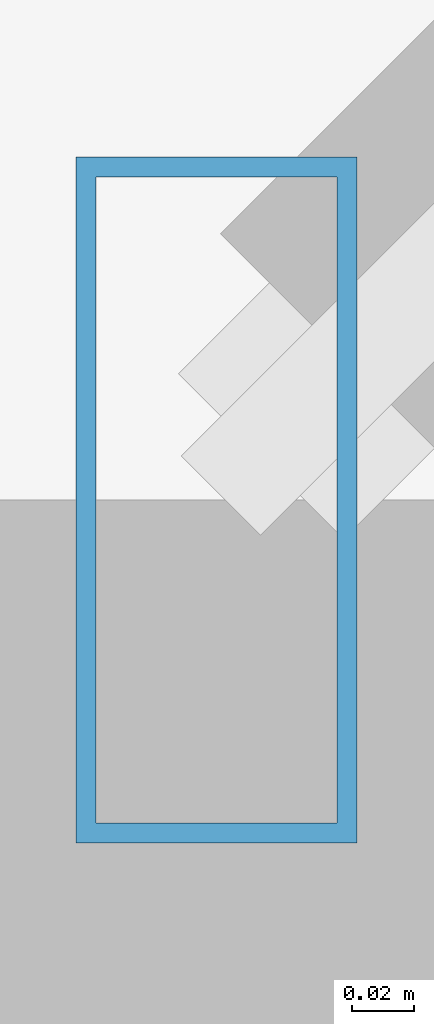
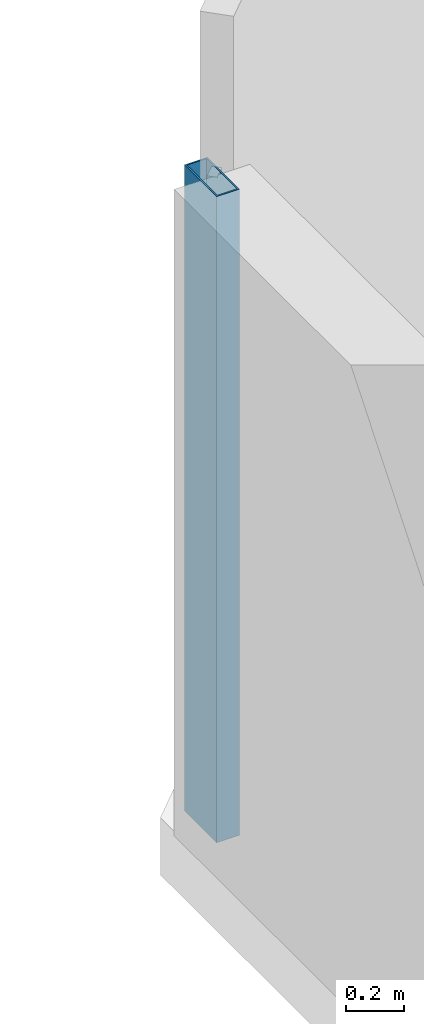
# One storey, part 12 of 35: 1 member, 1 element without a shape of its own.
"""IFC4 building model written with IfcOpenShell, lengths in metres."""

from ifc_helpers import new_model, si_unit, direction, frame, origin, origin_2d, place, context, subcontext, project, spatial, hollow_rectangle, extrude, material, material_profile, profile_set, type_object, element, aggregate, save


model = new_model("IFC4")

# Units and contexts
model_context = context("Model", 3, precision=1e-05, world=origin(), true_north=direction((0.0, 1.0)))
body_context = subcontext(model_context, "Body", "Model", "MODEL_VIEW")
ifc_project = project(units=[si_unit("LENGTHUNIT", "METRE"), si_unit("AREAUNIT", "SQUARE_METRE"), si_unit("VOLUMEUNIT", "CUBIC_METRE"), si_unit("PLANEANGLEUNIT", "RADIAN"), si_unit("MASSUNIT", "GRAM", prefix="KILO")], contexts=[model_context])

# Site, building, storey
site_placement = place(None, origin())
site = spatial("IfcSite", under=ifc_project, at=site_placement, CompositionType="ELEMENT")
building_placement = place(site_placement, origin())
building = spatial("IfcBuilding", under=site, at=building_placement, Name="Thornwick Lancets Civic Towers", CompositionType="ELEMENT")
storey_placement = place(building_placement, frame((0.0, 0.0, 64.5)))
storey = spatial("IfcBuildingStorey", under=building, at=storey_placement, Name="L16", CompositionType="ELEMENT", Elevation=64.5)

# Curtain wall, member
ifc_material_1 = material(Name="Low-zone chamfered-corner unitised glass curtain wall", Category="glass")
curtain_wall_type = type_object("IfcCurtainWallType", Name="CW_SYS_03", PredefinedType="NOTDEFINED", material=ifc_material_1)
curtain_wall_placement = place(storey_placement, origin())
curtain_wall = element("IfcCurtainWall", 1, at=curtain_wall_placement, inside=storey, type_object=curtain_wall_type, Name="L16 Curtain Wall CW-L16-B-E5", PredefinedType="NOTDEFINED")
ifc_material_2 = material(Name="Thermally broken bronze aluminium S355", Category="steel")
ifc_material_profile = material_profile(ifc_material_2, hollow_rectangle(XDim=0.090087890625, YDim=0.219970703125, WallThickness=0.00634765625, at=origin_2d()), Name="RHS 220x90x6.3")
ifc_profile_set = profile_set([ifc_material_profile], Name="Thermally broken bronze aluminium S355")
member_type = type_object("IfcMemberType", Name="CW_MUL_220", PredefinedType="MULLION", material=ifc_profile_set)
member_placement = place(storey_placement, frame((70.236328125, 48.35546875, 0.0), z_axis=(0.0, 0.0, 1.0), x_axis=(1.0, 0.0, 0.0)))
member = element("IfcMember", 2, at=member_placement, type_object=member_type, Name="CW-L16-B-E5 Mullion 1", PredefinedType="MULLION", context=body_context, shape_type="SweptSolid", body=[
    extrude(hollow_rectangle(XDim=0.090087890625, YDim=0.219970703125, WallThickness=0.00634765625, at=origin_2d()), origin(), (0.0, 0.0, 1.0), 2.699951171875),
])
aggregate(curtain_wall, [member])

save(model, "model.ifc")
